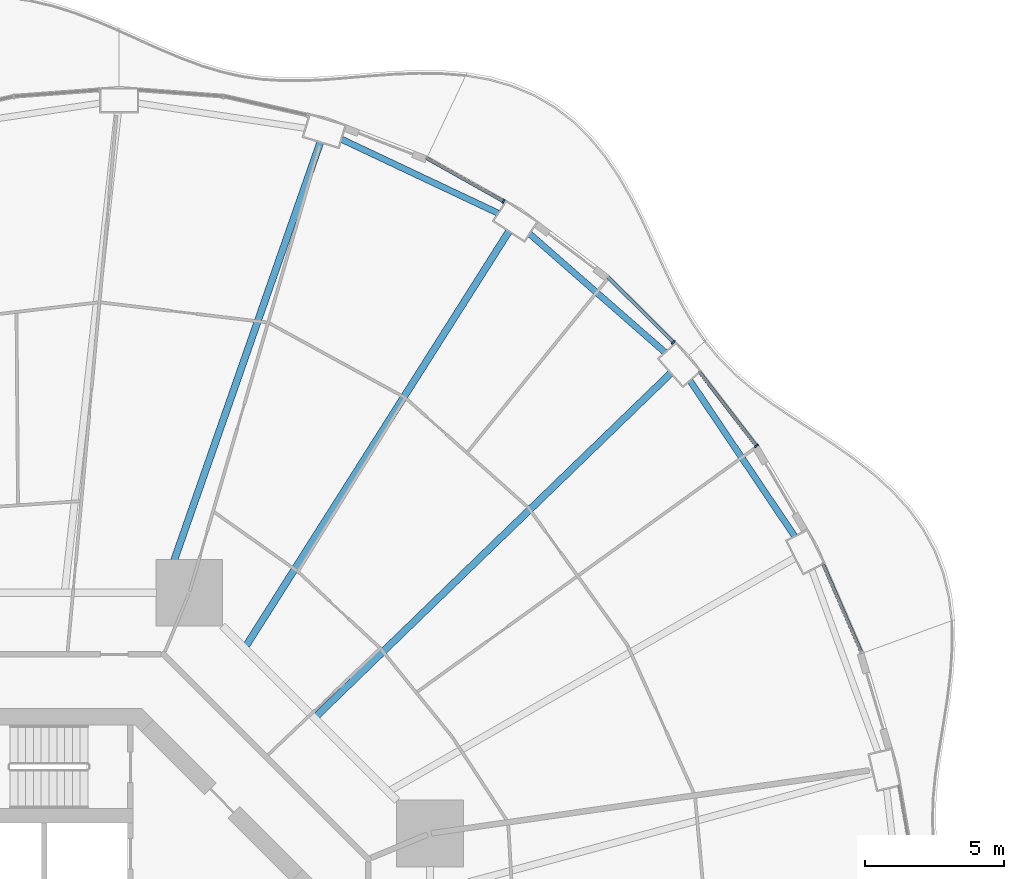
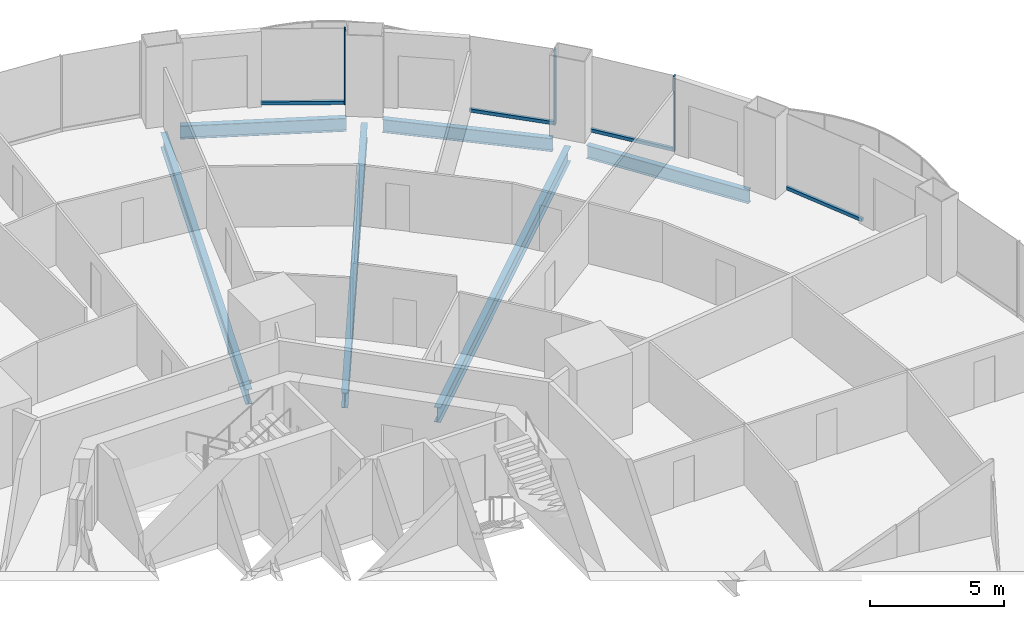
# One storey, part 9 of 21: 7 members, 6 beams, 4 elements without a shape of their own.
"""IFC4 building model written with IfcOpenShell, lengths in metres."""

from ifc_helpers import new_model, si_unit, direction, frame, origin, origin_2d, place, context, subcontext, project, spatial, rectangle, i_section, extrude, material, layer, layer_set, material_profile, profile_set, type_object, element, aggregate, save


model = new_model("IFC4")

# Units and contexts
model_context = context("Model", 3, precision=1e-05, world=origin(), true_north=direction((0.0, 1.0)))
body_context = subcontext(model_context, "Body", "Model", "MODEL_VIEW")
ifc_project = project(units=[si_unit("LENGTHUNIT", "METRE"), si_unit("AREAUNIT", "SQUARE_METRE"), si_unit("VOLUMEUNIT", "CUBIC_METRE"), si_unit("PLANEANGLEUNIT", "RADIAN"), si_unit("MASSUNIT", "GRAM", prefix="KILO")], contexts=[model_context])

# Site, building, storey
site_placement = place(None, origin())
site = spatial("IfcSite", under=ifc_project, at=site_placement, CompositionType="ELEMENT")
building_placement = place(site_placement, origin())
building = spatial("IfcBuilding", under=site, at=building_placement, Name="Nagisa Residences", CompositionType="ELEMENT")
storey_placement = place(building_placement, frame((0.0, 0.0, 60.300048828125)))
storey = spatial("IfcBuildingStorey", under=building, at=storey_placement, Name="L14", CompositionType="ELEMENT", Elevation=60.300048828125)

# Curtain wall, member
ifc_material_1 = material(Name="Concrete-coloured aluminium curtain wall system", Category="concrete")
ifc_layer = layer(ifc_material_1, 0.159912109375)
ifc_layer_set = layer_set([ifc_layer], Name="CW1 CURTAIN WALL")
curtain_wall_type = type_object("IfcCurtainWallType", Name="CW1 CURTAIN WALL", PredefinedType="NOTDEFINED", material=ifc_layer_set)
curtain_wall_1_placement = place(storey_placement, origin())
curtain_wall_1 = element("IfcCurtainWall", 1, at=curtain_wall_1_placement, inside=storey, type_object=curtain_wall_type, Name="cw:CW1:L14:05", PredefinedType="NOTDEFINED")
ifc_material_2 = material(Name="Concrete-coloured aluminium", Category="concrete")
ifc_material_profile_1 = material_profile(ifc_material_2, rectangle(XDim=0.159912109375, YDim=0.06005859375, at=origin_2d()), Name="CW1 MULLION 160x60")
ifc_profile_set_1 = profile_set([ifc_material_profile_1], Name="Concrete-coloured aluminium")
member_type_1 = type_object("IfcMemberType", Name="CW1 MULLION 160x60", PredefinedType="MULLION", material=ifc_profile_set_1)
member_1_placement = place(storey_placement, frame((26.525634765625, 20.06396484375, 0.0), z_axis=(0.0, 0.0, 1.0), x_axis=(-0.792070340816, -0.610429828235, 0.0)))
member_1 = element("IfcMember", 2, at=member_1_placement, type_object=member_type_1, Name="CW1 mullion", PredefinedType="MULLION", context=body_context, shape_type="SweptSolid", body=[
    extrude(rectangle(XDim=0.159912109375, YDim=0.06005859375, at=origin_2d()), origin(), (0.0, 0.0, 1.0), 3.43994140625),
])

curtain_wall_2_placement = place(storey_placement, origin())
curtain_wall_2 = element("IfcCurtainWall", 3, at=curtain_wall_2_placement, inside=storey, type_object=curtain_wall_type, Name="cw:CW1:L14:06", PredefinedType="NOTDEFINED")
member_2_placement = place(storey_placement, frame((23.532958984375, 23.79345703125, 0.0), z_axis=(0.0, 0.0, 1.0), x_axis=(-0.706376885714, -0.707835924016, 0.0)))
member_2 = element("IfcMember", 4, at=member_2_placement, type_object=member_type_1, Name="CW1 mullion", PredefinedType="MULLION", context=body_context, shape_type="SweptSolid", body=[
    extrude(rectangle(XDim=0.159912109375, YDim=0.06005859375, at=origin_2d()), origin(), (0.0, 0.0, 1.0), 3.43994140625),
])

curtain_wall_3_placement = place(storey_placement, origin())
curtain_wall_3 = element("IfcCurtainWall", 5, at=curtain_wall_3_placement, inside=storey, type_object=curtain_wall_type, Name="cw:CW1:L14:08", PredefinedType="NOTDEFINED")
member_3_placement = place(storey_placement, frame((17.42431640625, 28.8662109375, 0.0), z_axis=(0.0, 0.0, 1.0), x_axis=(-0.489376918501, -0.872072377523, 0.0)))
member_3 = element("IfcMember", 6, at=member_3_placement, type_object=member_type_1, Name="CW1 mullion", PredefinedType="MULLION", context=body_context, shape_type="SweptSolid", body=[
    extrude(rectangle(XDim=0.159912109375, YDim=0.06005859375, at=origin_2d()), origin(), (0.0, 0.0, 1.0), 3.43994140625),
])

curtain_wall_4_placement = place(storey_placement, origin())
curtain_wall_4 = element("IfcCurtainWall", 7, at=curtain_wall_4_placement, inside=storey, type_object=curtain_wall_type, Name="cw:CW1:L14:03", PredefinedType="NOTDEFINED")
ifc_material_3 = material(Name="Concrete-coloured aluminium", Category="concrete")
ifc_material_profile_2 = material_profile(ifc_material_3, rectangle(XDim=0.1201171875, YDim=0.14990234375, at=origin_2d()), Name="CW1 TRANSOM 120x150")
ifc_profile_set_2 = profile_set([ifc_material_profile_2], Name="Concrete-coloured aluminium")
member_type_2 = type_object("IfcMemberType", Name="CW1 TRANSOM 120x150", PredefinedType="USERDEFINED", material=ifc_profile_set_2)
member_4_placement = place(storey_placement, frame((30.319091796875, 12.5966796875, 0.074951171875), z_axis=(-0.397624958345, 0.917548032803, 0.0), x_axis=(-0.917548032803, -0.397624958345, 0.0)))
member_4 = element("IfcMember", 8, at=member_4_placement, type_object=member_type_2, Name="CW1 transom", ObjectType="TRANSOM", PredefinedType="USERDEFINED", context=body_context, shape_type="SweptSolid", body=[
    extrude(rectangle(XDim=0.1201171875, YDim=0.14990234375, at=origin_2d()), origin(), (0.0, 0.0, 1.0), 3.51953125),
])
aggregate(curtain_wall_4, [member_4])

# Member
member_5_placement = place(storey_placement, frame((26.5439453125, 20.040283203125, 0.074951171875), z_axis=(-0.610457147657, 0.792049285635, 0.0), x_axis=(-0.792049285635, -0.610457147657, 0.0)))
member_5 = element("IfcMember", 9, at=member_5_placement, type_object=member_type_2, Name="CW1 transom", ObjectType="TRANSOM", PredefinedType="USERDEFINED", context=body_context, shape_type="SweptSolid", body=[
    extrude(rectangle(XDim=0.1201171875, YDim=0.14990234375, at=origin_2d()), origin(), (0.0, 0.0, 1.0), 3.3974609375),
])

aggregate(curtain_wall_1, [member_1, member_5])

member_6_placement = place(storey_placement, frame((23.55419921875, 23.7724609375, 0.074951171875), z_axis=(-0.707876350734, 0.706336373176, 0.0), x_axis=(-0.706336373176, -0.707876350734, 0.0)))
member_6 = element("IfcMember", 10, at=member_6_placement, type_object=member_type_2, Name="CW1 transom", ObjectType="TRANSOM", PredefinedType="USERDEFINED", context=body_context, shape_type="SweptSolid", body=[
    extrude(rectangle(XDim=0.1201171875, YDim=0.14990234375, at=origin_2d()), origin(), (0.0, 0.0, 1.0), 3.329345703125),
])

aggregate(curtain_wall_2, [member_2, member_6])

member_7_placement = place(storey_placement, frame((17.450439453125, 28.8515625, 0.074951171875), z_axis=(-0.872070011948, 0.489381133946, 0.0), x_axis=(-0.489381133946, -0.872070011948, 0.0)))
member_7 = element("IfcMember", 11, at=member_7_placement, type_object=member_type_2, Name="CW1 transom", ObjectType="TRANSOM", PredefinedType="USERDEFINED", context=body_context, shape_type="SweptSolid", body=[
    extrude(rectangle(XDim=0.1201171875, YDim=0.14990234375, at=origin_2d()), origin(), (0.0, 0.0, 1.0), 3.201171875),
])

aggregate(curtain_wall_3, [member_3, member_7])

# Beams
ifc_material_4 = material(Name="Steel ASTM A572 Gr 50", Category="steel")
ifc_material_profile_3 = material_profile(ifc_material_4, i_section(OverallWidth=0.22802734375, OverallDepth=0.60302734375, WebThickness=0.010498046875, FlangeThickness=0.014892578125, at=origin_2d()), Name="W610x101")
ifc_profile_set_3 = profile_set([ifc_material_profile_3], Name="Steel ASTM A572 Gr 50")
beam_type_1 = type_object("IfcBeamType", Name="Perimeter ring beam W610x101", PredefinedType="BEAM", material=ifc_profile_set_3)
beam_1_placement = place(storey_placement, frame((27.899169921875, 16.818603515625, -0.5615234375), z_axis=(-0.558271879663, 0.829658067144, 0.0), x_axis=(-0.829658067144, -0.558271879663, 0.0)))
element("IfcBeam", 12, at=beam_1_placement, inside=storey, type_object=beam_type_1, Name="beam:L14:pb03", PredefinedType="BEAM", context=body_context, shape_type="SweptSolid", body=[
    extrude(i_section(OverallWidth=0.22802734375, OverallDepth=0.60302734375, WebThickness=0.010498046875, FlangeThickness=0.014892578125, at=origin_2d()), origin(), (0.0, 0.0, 1.0), 6.74169921875),
])
beam_2_placement = place(storey_placement, frame((23.236328125, 23.432861328125, -0.5615234375), z_axis=(-0.7525907186, 0.658488580217, 0.0), x_axis=(-0.658488580217, -0.7525907186, 0.0)))
element("IfcBeam", 13, at=beam_2_placement, inside=storey, type_object=beam_type_1, Name="beam:L14:pb04", PredefinedType="BEAM", context=body_context, shape_type="SweptSolid", body=[
    extrude(i_section(OverallWidth=0.22802734375, OverallDepth=0.60302734375, WebThickness=0.010498046875, FlangeThickness=0.014892578125, at=origin_2d()), origin(), (0.0, 0.0, 1.0), 6.470458984375),
])
beam_3_placement = place(storey_placement, frame((17.22900390625, 28.439208984375, -0.5615234375), z_axis=(-0.904215426643, 0.427076646774, 0.0), x_axis=(-0.427076646774, -0.904215426643, 0.0)))
element("IfcBeam", 14, at=beam_3_placement, inside=storey, type_object=beam_type_1, Name="beam:L14:pb05", PredefinedType="BEAM", context=body_context, shape_type="SweptSolid", body=[
    extrude(i_section(OverallWidth=0.22802734375, OverallDepth=0.60302734375, WebThickness=0.010498046875, FlangeThickness=0.014892578125, at=origin_2d()), origin(), (0.0, 0.0, 1.0), 6.2275390625),
])
ifc_material_5 = material(Name="Steel ASTM A572 Gr 50", Category="steel")
ifc_material_profile_4 = material_profile(ifc_material_5, i_section(OverallWidth=0.25390625, OverallDepth=0.68408203125, WebThickness=0.012451171875, FlangeThickness=0.018798828125, at=origin_2d()), Name="W690x140")
ifc_profile_set_4 = profile_set([ifc_material_profile_4], Name="Steel ASTM A572 Gr 50")
beam_type_2 = type_object("IfcBeamType", Name="Radial beam W690x140", PredefinedType="BEAM", material=ifc_profile_set_4)
beam_4_placement = place(storey_placement, frame((23.443115234375, 22.681640625, -0.60205078125), z_axis=(-0.718678305776, -0.695342716081, 0.0), x_axis=(0.695342716081, -0.718678305776, 0.0)))
element("IfcBeam", 15, at=beam_4_placement, inside=storey, type_object=beam_type_2, Name="beam:L14:rb04", PredefinedType="BEAM", context=body_context, shape_type="SweptSolid", body=[
    extrude(i_section(OverallWidth=0.25390625, OverallDepth=0.68408203125, WebThickness=0.012451171875, FlangeThickness=0.018798828125, at=origin_2d()), origin(), (0.0, 0.0, 1.0), 17.722900390625),
])
beam_5_placement = place(storey_placement, frame((17.61962890625, 27.78271484375, -0.60205078125), z_axis=(-0.53556610664, -0.844493306911, 0.0), x_axis=(0.844493306911, -0.53556610664, 0.0)))
element("IfcBeam", 16, at=beam_5_placement, inside=storey, type_object=beam_type_2, Name="beam:L14:rb05", PredefinedType="BEAM", context=body_context, shape_type="SweptSolid", body=[
    extrude(i_section(OverallWidth=0.25390625, OverallDepth=0.68408203125, WebThickness=0.012451171875, FlangeThickness=0.018798828125, at=origin_2d()), origin(), (0.0, 0.0, 1.0), 17.63525390625),
])
beam_6_placement = place(storey_placement, frame((10.834228515625, 30.986328125, -0.60205078125), z_axis=(-0.330051195485, -0.943963033364, 0.0), x_axis=(0.943963033364, -0.330051195485, 0.0)))
element("IfcBeam", 17, at=beam_6_placement, inside=storey, type_object=beam_type_2, Name="beam:L14:rb06", PredefinedType="BEAM", context=body_context, shape_type="SweptSolid", body=[
    extrude(i_section(OverallWidth=0.25390625, OverallDepth=0.68408203125, WebThickness=0.012451171875, FlangeThickness=0.018798828125, at=origin_2d()), origin(), (0.0, 0.0, 1.0), 17.045654296875),
])

save(model, "model.ifc")
